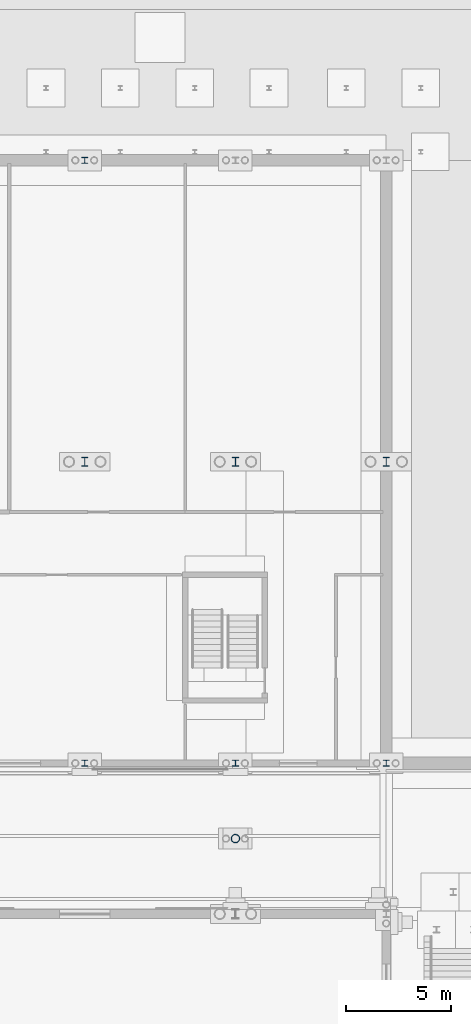
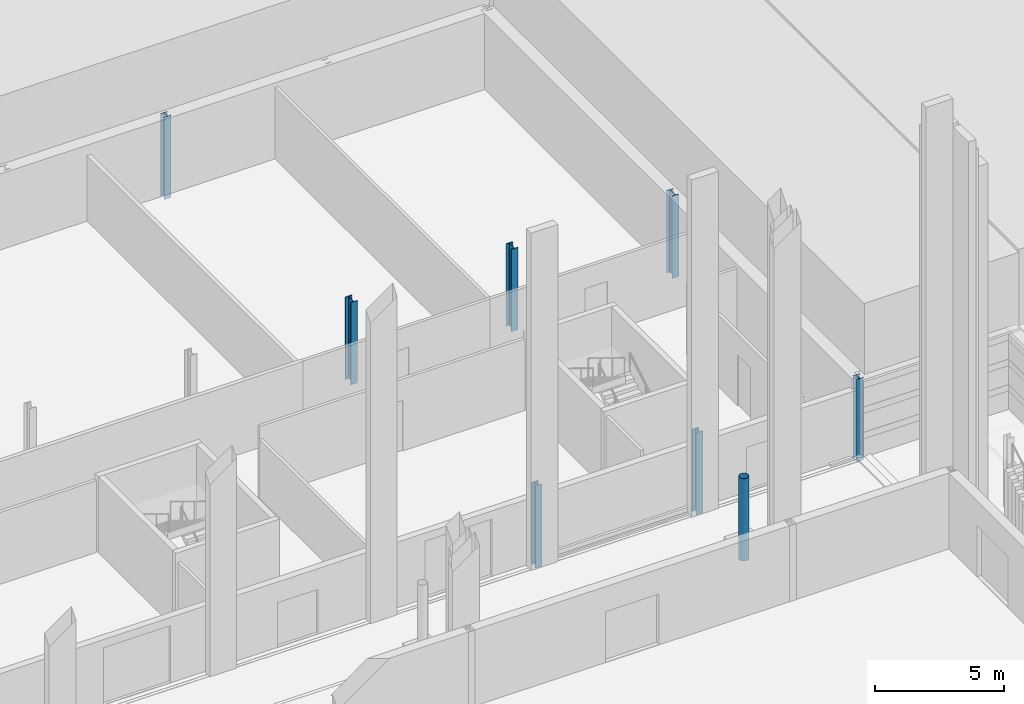
# One storey, part 68 of 148: 8 columns.
"""IFC4 building model written with IfcOpenShell, lengths in metres."""

from ifc_helpers import new_model, si_unit, direction, frame, origin, origin_2d, place, context, subcontext, project, spatial, hollow_circle, i_section, extrude, material, material_profile, profile_set, type_object, element, save


model = new_model("IFC4")

# Units and contexts
model_context = context("Model", 3, precision=1e-05, world=origin(), true_north=direction((0.0, 1.0)))
body_context = subcontext(model_context, "Body", "Model", "MODEL_VIEW")
ifc_project = project(units=[si_unit("LENGTHUNIT", "METRE"), si_unit("AREAUNIT", "SQUARE_METRE"), si_unit("VOLUMEUNIT", "CUBIC_METRE"), si_unit("PLANEANGLEUNIT", "RADIAN"), si_unit("MASSUNIT", "GRAM", prefix="KILO")], contexts=[model_context])

# Site, building, storey
site_placement = place(None, origin())
site = spatial("IfcSite", under=ifc_project, at=site_placement, CompositionType="ELEMENT")
building_placement = place(site_placement, origin())
building = spatial("IfcBuilding", under=site, at=building_placement, Name="Kupolbacken Congress Centre", CompositionType="ELEMENT")
storey_placement = place(building_placement, origin())
storey = spatial("IfcBuildingStorey", under=building, at=storey_placement, Name="L00", CompositionType="ELEMENT", Elevation=0.0)

# Columns
ifc_material_1 = material(Name="Steel S355", Category="steel")
ifc_material_profile_1 = material_profile(ifc_material_1, i_section(OverallWidth=0.300048828125, OverallDepth=0.449951171875, WebThickness=0.013916015625, FlangeThickness=0.02587890625, FilletRadius=0.027099609375, at=origin_2d()), Name="HEB 450")
ifc_profile_set_1 = profile_set([ifc_material_profile_1], Name="Steel S355")
column_type_1 = type_object("IfcColumnType", Name="C03 column HEB 450", PredefinedType="COLUMN", material=ifc_profile_set_1)
for number, where, z_axis, x_axis, name in (
    (1, (187.199951171875, 136.800048828125, -0.300048828125), (0.0, 0.0, 1.0), (1.0, 0.0, 0.0), "S/col/C-B-M5/L00"),
    (2, (194.39990234375, 136.800048828125, -0.300048828125), (0.0, 0.0, 1.0), (1.0, 0.0, 0.0), "S/col/C-B-M6/L00"),
    (3, (201.60009765625, 136.800048828125, -0.300048828125), (0.0, 0.0, 1.0), (1.0, 0.0, 0.0), "S/col/C-B-M7/L00"),
):
    element("IfcColumn", number, at=place(storey_placement, frame(where, z_axis=z_axis, x_axis=x_axis)), inside=storey, type_object=column_type_1, Name=name, PredefinedType="COLUMN", context=body_context, shape_type="SweptSolid", body=[
        extrude(i_section(OverallWidth=0.300048828125, OverallDepth=0.449951171875, WebThickness=0.013916015625, FlangeThickness=0.02587890625, FilletRadius=0.027099609375, at=origin_2d()), origin(), (0.0, 0.0, 1.0), 3.900146484375),
    ])
ifc_material_2 = material(Name="Steel S355", Category="steel")
ifc_material_profile_2 = material_profile(ifc_material_2, i_section(OverallWidth=0.300048828125, OverallDepth=0.300048828125, WebThickness=0.010986328125, FlangeThickness=0.01904296875, FilletRadius=0.027099609375, at=origin_2d()), Name="HEB 300")
ifc_profile_set_2 = profile_set([ifc_material_profile_2], Name="Steel S355")
column_type_2 = type_object("IfcColumnType", Name="C06 column HEB 300", PredefinedType="COLUMN", material=ifc_profile_set_2)
for number, where, z_axis, x_axis, name in (
    (4, (187.199951171875, 122.39990234375, -0.300048828125), (0.0, 0.0, 1.0), (1.0, 0.0, 0.0), "S/col/C-B-B6S/L00"),
    (5, (187.199951171875, 151.199951171875, -0.300048828125), (0.0, 0.0, 1.0), (1.0, 0.0, 0.0), "S/col/C-B-B6N/L00"),
    (6, (194.39990234375, 122.39990234375, -0.300048828125), (0.0, 0.0, 1.0), (1.0, 0.0, 0.0), "S/col/C-B-B7S/L00"),
    (7, (201.60009765625, 122.39990234375, -0.300048828125), (0.0, 0.0, 1.0), (1.0, 0.0, 0.0), "S/col/C-B-B8S/L00"),
):
    element("IfcColumn", number, at=place(storey_placement, frame(where, z_axis=z_axis, x_axis=x_axis)), inside=storey, type_object=column_type_2, Name=name, PredefinedType="COLUMN", context=body_context, shape_type="SweptSolid", body=[
        extrude(i_section(OverallWidth=0.300048828125, OverallDepth=0.300048828125, WebThickness=0.010986328125, FlangeThickness=0.01904296875, FilletRadius=0.027099609375, at=origin_2d()), origin(), (0.0, 0.0, 1.0), 3.900146484375),
    ])
ifc_material_3 = material(Name="Steel S355", Category="steel")
ifc_material_profile_3 = material_profile(ifc_material_3, hollow_circle(Radius=0.203125, WallThickness=0.01611328125, at=origin_2d()), Name="CHS 406.4 x 16")
ifc_profile_set_3 = profile_set([ifc_material_profile_3], Name="Steel S355")
column_type_3 = type_object("IfcColumnType", Name="C15 roof mast CHS 406.4 x 16", PredefinedType="COLUMN", material=ifc_profile_set_3)
column_placement = place(storey_placement, frame((194.39990234375, 118.800048828125, -0.300048828125), z_axis=(0.0, 0.0, 1.0), x_axis=(1.0, 0.0, 0.0)))
element("IfcColumn", 8, at=column_placement, inside=storey, type_object=column_type_3, Name="Roof mast M8N", PredefinedType="COLUMN", context=body_context, shape_type="SweptSolid", body=[
    extrude(hollow_circle(Radius=0.203125, WallThickness=0.01611328125, at=origin_2d()), origin(), (0.0, 0.0, 1.0), 3.900146484375),
])

save(model, "model.ifc")
